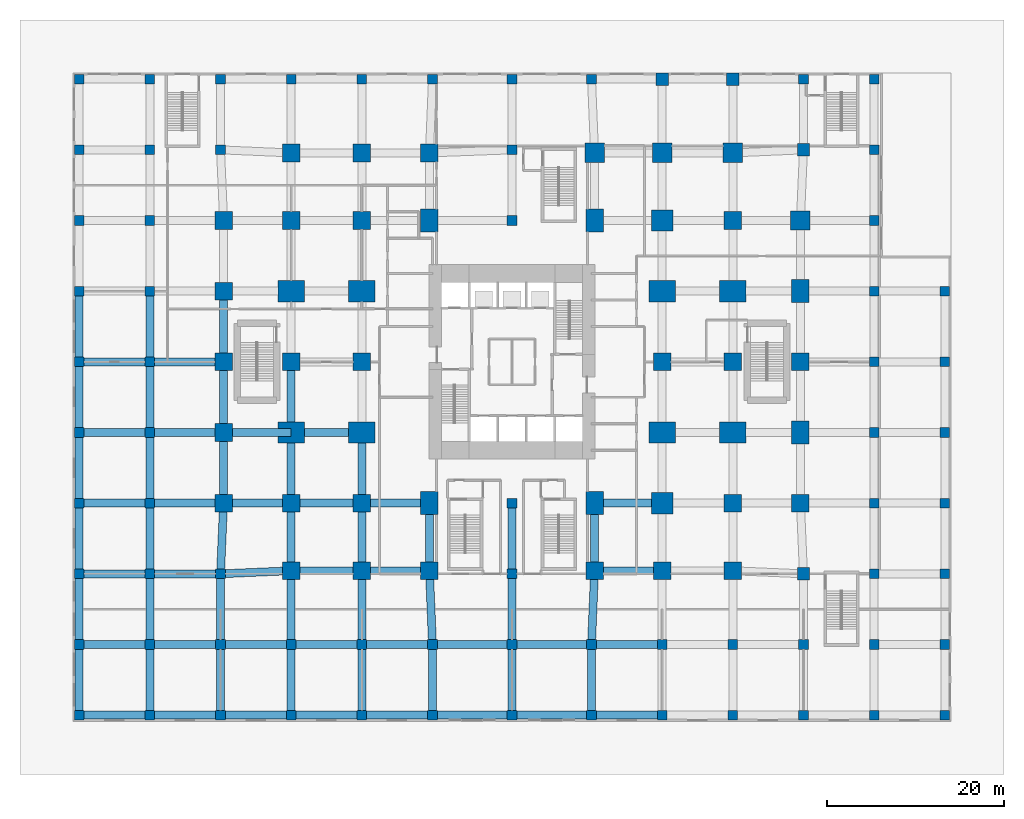
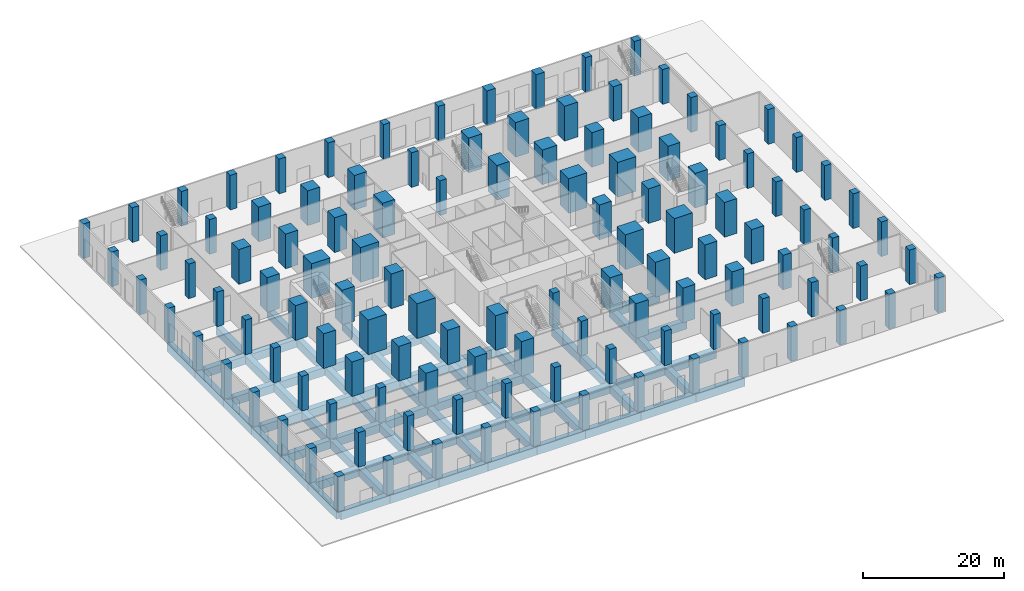
# One storey, part 1 of 16: 118 columns, 70 beams.
"""IFC4 building model written with IfcOpenShell, lengths in metres."""

from ifc_helpers import new_model, si_unit, direction, frame, origin, origin_2d, place, context, subcontext, project, spatial, rectangle, extrude, material, material_profile, profile_set, type_object, element, save


model = new_model("IFC4")

# Units and contexts
model_context = context("Model", 3, precision=1e-05, world=origin(), true_north=direction((0.0, 1.0)))
body_context = subcontext(model_context, "Body", "Model", "MODEL_VIEW")
ifc_project = project(units=[si_unit("LENGTHUNIT", "METRE"), si_unit("AREAUNIT", "SQUARE_METRE"), si_unit("VOLUMEUNIT", "CUBIC_METRE"), si_unit("PLANEANGLEUNIT", "RADIAN"), si_unit("MASSUNIT", "GRAM", prefix="KILO")], contexts=[model_context])

# Site, building, storey
site_placement = place(None, origin())
site = spatial("IfcSite", under=ifc_project, at=site_placement, CompositionType="ELEMENT")
building_placement = place(site_placement, origin())
building = spatial("IfcBuilding", under=site, at=building_placement, Name="Cleftline Residences", CompositionType="ELEMENT")
storey_placement = place(building_placement, origin())
storey = spatial("IfcBuildingStorey", under=building, at=storey_placement, Name="L00", CompositionType="ELEMENT", Elevation=0.0)

# Columns
ifc_material_1 = material(Name="Concrete B70", Category="concrete")
ifc_material_profile_1 = material_profile(ifc_material_1, rectangle(XDim=1.10009765625, YDim=1.10009765625, at=origin_2d()))
ifc_profile_set_1 = profile_set([ifc_material_profile_1], Name="Concrete B70")
column_type_1 = type_object("IfcColumnType", Name="COLUMN RC1100X1100", PredefinedType="COLUMN", material=ifc_profile_set_1)
for number, where, z_axis, x_axis, name in (
    (1, (-16.0, -16.0, 0.0), (0.0, 0.0, 1.0), (1.0, 0.0, 0.0), "Column A/1"),
    (2, (-16.0, -8.0, 0.0), (0.0, 0.0, 1.0), (1.0, 0.0, 0.0), "Column B/1"),
    (3, (-16.0, 0.0, 0.0), (0.0, 0.0, 1.0), (1.0, 0.0, 0.0), "Column C/1"),
    (4, (-16.0, 8.0, 0.0), (0.0, 0.0, 1.0), (1.0, 0.0, 0.0), "Column D/1"),
    (5, (-16.0, 16.0, 0.0), (0.0, 0.0, 1.0), (1.0, 0.0, 0.0), "Column E/1"),
    (6, (-16.0, 24.0, 0.0), (0.0, 0.0, 1.0), (1.0, 0.0, 0.0), "Column F/1"),
    (7, (-16.0, 32.0, 0.0), (0.0, 0.0, 1.0), (1.0, 0.0, 0.0), "Column G/1"),
    (8, (-16.0, 40.0, 0.0), (0.0, 0.0, 1.0), (1.0, 0.0, 0.0), "Column H/1"),
    (9, (-16.0, 48.0, 0.0), (0.0, 0.0, 1.0), (1.0, 0.0, 0.0), "Column J/1"),
    (10, (-16.0, 56.0, 0.0), (0.0, 0.0, 1.0), (1.0, 0.0, 0.0), "Column K/1"),
    (11, (-8.0, -16.0, 0.0), (0.0, 0.0, 1.0), (1.0, 0.0, 0.0), "Column A/2"),
    (12, (-8.0, -8.0, 0.0), (0.0, 0.0, 1.0), (1.0, 0.0, 0.0), "Column B/2"),
    (13, (-8.0, 0.0, 0.0), (0.0, 0.0, 1.0), (1.0, 0.0, 0.0), "Column C/2"),
    (14, (-8.0, 8.0, 0.0), (0.0, 0.0, 1.0), (1.0, 0.0, 0.0), "Column D/2"),
    (15, (-8.0, 16.0, 0.0), (0.0, 0.0, 1.0), (1.0, 0.0, 0.0), "Column E/2"),
    (16, (-8.0, 24.0, 0.0), (0.0, 0.0, 1.0), (1.0, 0.0, 0.0), "Column F/2"),
    (17, (-8.0, 32.0, 0.0), (0.0, 0.0, 1.0), (1.0, 0.0, 0.0), "Column G/2"),
    (18, (-8.0, 40.0, 0.0), (0.0, 0.0, 1.0), (1.0, 0.0, 0.0), "Column H/2"),
    (19, (-8.0, 48.0, 0.0), (0.0, 0.0, 1.0), (1.0, 0.0, 0.0), "Column J/2"),
    (20, (-8.0, 56.0, 0.0), (0.0, 0.0, 1.0), (1.0, 0.0, 0.0), "Column K/2"),
    (21, (0.0, -16.0, 0.0), (0.0, 0.0, 1.0), (1.0, 0.0, 0.0), "Column A/3"),
    (22, (0.0, -8.0, 0.0), (0.0, 0.0, 1.0), (1.0, 0.0, 0.0), "Column B/3"),
    (23, (0.0, 0.0, 0.0), (0.0, 0.0, 1.0), (1.0, 0.0, 0.0), "Column C/3"),
    (24, (0.0, 48.0, 0.0), (0.0, 0.0, 1.0), (1.0, 0.0, 0.0), "Column J/3"),
    (25, (0.0, 56.0, 0.0), (0.0, 0.0, 1.0), (1.0, 0.0, 0.0), "Column K/3"),
    (26, (8.0, -16.0, 0.0), (0.0, 0.0, 1.0), (1.0, 0.0, 0.0), "Column A/4"),
    (27, (8.0, -8.0, 0.0), (0.0, 0.0, 1.0), (1.0, 0.0, 0.0), "Column B/4"),
    (28, (8.0, 56.0, 0.0), (0.0, 0.0, 1.0), (1.0, 0.0, 0.0), "Column K/4"),
    (29, (16.0, -16.0, 0.0), (0.0, 0.0, 1.0), (1.0, 0.0, 0.0), "Column A/5"),
    (30, (16.0, -8.0, 0.0), (0.0, 0.0, 1.0), (1.0, 0.0, 0.0), "Column B/5"),
    (31, (16.0, 56.0, 0.0), (0.0, 0.0, 1.0), (1.0, 0.0, 0.0), "Column K/5"),
    (32, (24.0, -16.0, 0.0), (0.0, 0.0, 1.0), (1.0, 0.0, 0.0), "Column A/6"),
    (33, (24.0, -8.0, 0.0), (0.0, 0.0, 1.0), (1.0, 0.0, 0.0), "Column B/6"),
    (34, (24.0, 56.0, 0.0), (0.0, 0.0, 1.0), (1.0, 0.0, 0.0), "Column K/6"),
    (35, (33.0, -16.0, 0.0), (0.0, 0.0, 1.0), (1.0, 0.0, 0.0), "Column A/7"),
    (36, (33.0, -8.0, 0.0), (0.0, 0.0, 1.0), (1.0, 0.0, 0.0), "Column B/7"),
    (37, (33.0, 0.0, 0.0), (0.0, 0.0, 1.0), (1.0, 0.0, 0.0), "Column C/7"),
    (38, (33.0, 8.0, 0.0), (0.0, 0.0, 1.0), (1.0, 0.0, 0.0), "Column D/7"),
    (39, (33.0, 40.0, 0.0), (0.0, 0.0, 1.0), (1.0, 0.0, 0.0), "Column H/7"),
    (40, (33.0, 48.0, 0.0), (0.0, 0.0, 1.0), (1.0, 0.0, 0.0), "Column J/7"),
    (41, (33.0, 56.0, 0.0), (0.0, 0.0, 1.0), (1.0, 0.0, 0.0), "Column K/7"),
    (42, (42.0, -16.0, 0.0), (0.0, 0.0, 1.0), (1.0, 0.0, 0.0), "Column A/8"),
    (43, (42.0, -8.0, 0.0), (0.0, 0.0, 1.0), (1.0, 0.0, 0.0), "Column B/8"),
    (44, (42.0, 56.0, 0.0), (0.0, 0.0, 1.0), (1.0, 0.0, 0.0), "Column K/8"),
    (45, (50.0, -16.0, 0.0), (0.0, 0.0, 1.0), (1.0, 0.0, 0.0), "Column A/9"),
    (46, (50.0, -8.0, 0.0), (0.0, 0.0, 1.0), (1.0, 0.0, 0.0), "Column B/9"),
    (47, (58.0, -16.0, 0.0), (0.0, 0.0, 1.0), (1.0, 0.0, 0.0), "Column A/10"),
    (48, (58.0, -8.0, 0.0), (0.0, 0.0, 1.0), (1.0, 0.0, 0.0), "Column B/10"),
    (49, (66.0, -16.0, 0.0), (0.0, 0.0, 1.0), (1.0, 0.0, 0.0), "Column A/11"),
    (50, (66.0, -8.0, 0.0), (0.0, 0.0, 1.0), (1.0, 0.0, 0.0), "Column B/11"),
    (51, (66.0, 56.0, 0.0), (0.0, 0.0, 1.0), (1.0, 0.0, 0.0), "Column K/11"),
    (52, (74.0, -16.0, 0.0), (0.0, 0.0, 1.0), (1.0, 0.0, 0.0), "Column A/12"),
    (53, (74.0, -8.0, 0.0), (0.0, 0.0, 1.0), (1.0, 0.0, 0.0), "Column B/12"),
    (54, (74.0, 0.0, 0.0), (0.0, 0.0, 1.0), (1.0, 0.0, 0.0), "Column C/12"),
    (55, (74.0, 8.0, 0.0), (0.0, 0.0, 1.0), (1.0, 0.0, 0.0), "Column D/12"),
    (56, (74.0, 16.0, 0.0), (0.0, 0.0, 1.0), (1.0, 0.0, 0.0), "Column E/12"),
    (57, (74.0, 24.0, 0.0), (0.0, 0.0, 1.0), (1.0, 0.0, 0.0), "Column F/12"),
    (58, (74.0, 32.0, 0.0), (0.0, 0.0, 1.0), (1.0, 0.0, 0.0), "Column G/12"),
    (59, (74.0, 40.0, 0.0), (0.0, 0.0, 1.0), (1.0, 0.0, 0.0), "Column H/12"),
    (60, (74.0, 48.0, 0.0), (0.0, 0.0, 1.0), (1.0, 0.0, 0.0), "Column J/12"),
    (61, (74.0, 56.0, 0.0), (0.0, 0.0, 1.0), (1.0, 0.0, 0.0), "Column K/12"),
    (62, (82.0, -16.0, 0.0), (0.0, 0.0, 1.0), (1.0, 0.0, 0.0), "Column A/13"),
    (63, (82.0, -8.0, 0.0), (0.0, 0.0, 1.0), (1.0, 0.0, 0.0), "Column B/13"),
    (64, (82.0, 0.0, 0.0), (0.0, 0.0, 1.0), (1.0, 0.0, 0.0), "Column C/13"),
    (65, (82.0, 8.0, 0.0), (0.0, 0.0, 1.0), (1.0, 0.0, 0.0), "Column D/13"),
    (66, (82.0, 16.0, 0.0), (0.0, 0.0, 1.0), (1.0, 0.0, 0.0), "Column E/13"),
    (67, (82.0, 24.0, 0.0), (0.0, 0.0, 1.0), (1.0, 0.0, 0.0), "Column F/13"),
    (68, (82.0, 32.0, 0.0), (0.0, 0.0, 1.0), (1.0, 0.0, 0.0), "Column G/13"),
):
    element("IfcColumn", number, at=place(storey_placement, frame(where, z_axis=z_axis, x_axis=x_axis)), inside=storey, type_object=column_type_1, Name=name, PredefinedType="COLUMN", context=body_context, shape_type="SweptSolid", body=[
        extrude(rectangle(XDim=1.10009765625, YDim=1.10009765625, at=origin_2d()), origin(), (0.0, 0.0, 1.0), 6.0),
    ])
ifc_material_2 = material(Name="Concrete B70", Category="concrete")
ifc_material_profile_2 = material_profile(ifc_material_2, rectangle(XDim=1.39990234375, YDim=1.39990234375, at=origin_2d()))
ifc_profile_set_2 = profile_set([ifc_material_profile_2], Name="Concrete B70")
column_type_2 = type_object("IfcColumnType", Name="COLUMN RC1400X1400", PredefinedType="COLUMN", material=ifc_profile_set_2)
for number, where, z_axis, x_axis, name in (
    (69, (50.0, 56.0, 0.0), (0.0, 0.0, 1.0), (1.0, 0.0, 0.0), "Column K/9"),
    (70, (58.0, 56.0, 0.0), (0.0, 0.0, 1.0), (1.0, 0.0, 0.0), "Column K/10"),
    (71, (66.0, 0.0, 0.0), (0.0, 0.0, 1.0), (1.0, 0.0, 0.0), "Column C/11"),
    (72, (66.0, 48.0, 0.0), (0.0, 0.0, 1.0), (1.0, 0.0, 0.0), "Column J/11"),
):
    element("IfcColumn", number, at=place(storey_placement, frame(where, z_axis=z_axis, x_axis=x_axis)), inside=storey, type_object=column_type_2, Name=name, PredefinedType="COLUMN", context=body_context, shape_type="SweptSolid", body=[
        extrude(rectangle(XDim=1.39990234375, YDim=1.39990234375, at=origin_2d()), origin(), (0.0, 0.0, 1.0), 6.0),
    ])
ifc_material_3 = material(Name="Concrete B70", Category="concrete")
ifc_material_profile_3 = material_profile(ifc_material_3, rectangle(XDim=2.0, YDim=2.0, at=origin_2d()))
ifc_profile_set_3 = profile_set([ifc_material_profile_3], Name="Concrete B70")
column_type_3 = type_object("IfcColumnType", Name="COLUMN RC2000X2000", PredefinedType="COLUMN", material=ifc_profile_set_3)
for number, where, z_axis, x_axis, name in (
    (73, (0.35009765625, 8.0, 0.0), (0.0, 0.0, 1.0), (1.0, 0.0, 0.0), "Column D/3"),
    (74, (0.35009765625, 16.0, 0.0), (0.0, 0.0, 1.0), (1.0, 0.0, 0.0), "Column E/3"),
    (75, (0.35009765625, 24.0, 0.0), (0.0, 0.0, 1.0), (1.0, 0.0, 0.0), "Column F/3"),
    (76, (0.35009765625, 32.0, 0.0), (0.0, 0.0, 1.0), (1.0, 0.0, 0.0), "Column G/3"),
    (77, (0.35009765625, 40.0, 0.0), (0.0, 0.0, 1.0), (1.0, 0.0, 0.0), "Column H/3"),
    (78, (8.0, 0.35009765625, 0.0), (0.0, 0.0, 1.0), (1.0, 0.0, 0.0), "Column C/4"),
    (79, (8.0, 8.0, 0.0), (0.0, 0.0, 1.0), (1.0, 0.0, 0.0), "Column D/4"),
    (80, (8.0, 24.0, 0.0), (0.0, 0.0, 1.0), (1.0, 0.0, 0.0), "Column F/4"),
    (81, (8.0, 40.0, 0.0), (0.0, 0.0, 1.0), (1.0, 0.0, 0.0), "Column H/4"),
    (82, (8.0, 47.64990234375, 0.0), (0.0, 0.0, 1.0), (1.0, 0.0, 0.0), "Column J/4"),
    (83, (16.0, 0.35009765625, 0.0), (0.0, 0.0, 1.0), (1.0, 0.0, 0.0), "Column C/5"),
    (84, (16.0, 8.0, 0.0), (0.0, 0.0, 1.0), (1.0, 0.0, 0.0), "Column D/5"),
    (85, (16.0, 24.0, 0.0), (0.0, 0.0, 1.0), (1.0, 0.0, 0.0), "Column F/5"),
    (86, (16.0, 40.0, 0.0), (0.0, 0.0, 1.0), (1.0, 0.0, 0.0), "Column H/5"),
    (87, (16.0, 47.64990234375, 0.0), (0.0, 0.0, 1.0), (1.0, 0.0, 0.0), "Column J/5"),
    (88, (23.64990234375, 0.35009765625, 0.0), (0.0, 0.0, 1.0), (1.0, 0.0, 0.0), "Column C/6"),
    (89, (23.64990234375, 47.64990234375, 0.0), (0.0, 0.0, 1.0), (1.0, 0.0, 0.0), "Column J/6"),
    (90, (42.35009765625, 0.35009765625, 0.0), (0.0, 0.0, 1.0), (1.0, 0.0, 0.0), "Column C/8"),
    (91, (50.0, 0.35009765625, 0.0), (0.0, 0.0, 1.0), (1.0, 0.0, 0.0), "Column C/9"),
    (92, (50.0, 24.0, 0.0), (0.0, 0.0, 1.0), (1.0, 0.0, 0.0), "Column F/9"),
    (93, (58.0, 0.35009765625, 0.0), (0.0, 0.0, 1.0), (1.0, 0.0, 0.0), "Column C/10"),
    (94, (58.0, 8.0, 0.0), (0.0, 0.0, 1.0), (1.0, 0.0, 0.0), "Column D/10"),
    (95, (58.0, 24.0, 0.0), (0.0, 0.0, 1.0), (1.0, 0.0, 0.0), "Column F/10"),
    (96, (58.0, 40.0, 0.0), (0.0, 0.0, 1.0), (1.0, 0.0, 0.0), "Column H/10"),
    (97, (65.64990234375, 8.0, 0.0), (0.0, 0.0, 1.0), (1.0, 0.0, 0.0), "Column D/11"),
    (98, (65.64990234375, 24.0, 0.0), (0.0, 0.0, 1.0), (1.0, 0.0, 0.0), "Column F/11"),
):
    element("IfcColumn", number, at=place(storey_placement, frame(where, z_axis=z_axis, x_axis=x_axis)), inside=storey, type_object=column_type_3, Name=name, PredefinedType="COLUMN", context=body_context, shape_type="SweptSolid", body=[
        extrude(rectangle(XDim=2.0, YDim=2.0, at=origin_2d()), origin(), (0.0, 0.0, 1.0), 6.0),
    ])
ifc_material_4 = material(Name="Concrete B70", Category="concrete")
ifc_material_profile_4 = material_profile(ifc_material_4, rectangle(XDim=2.0, YDim=2.60009765625, at=origin_2d()))
ifc_profile_set_4 = profile_set([ifc_material_profile_4], Name="Concrete B70")
column_type_4 = type_object("IfcColumnType", Name="COLUMN RC2000X2600", PredefinedType="COLUMN", material=ifc_profile_set_4)
for number, where, z_axis, x_axis, name in (
    (99, (23.64990234375, 8.0, 0.0), (0.0, 0.0, 1.0), (1.0, 0.0, 0.0), "Column D/6"),
    (100, (23.64990234375, 40.0, 0.0), (0.0, 0.0, 1.0), (1.0, 0.0, 0.0), "Column H/6"),
    (101, (42.35009765625, 8.0, 0.0), (0.0, 0.0, 1.0), (1.0, 0.0, 0.0), "Column D/8"),
    (102, (42.35009765625, 40.0, 0.0), (0.0, 0.0, 1.0), (1.0, 0.0, 0.0), "Column H/8"),
):
    element("IfcColumn", number, at=place(storey_placement, frame(where, z_axis=z_axis, x_axis=x_axis)), inside=storey, type_object=column_type_4, Name=name, PredefinedType="COLUMN", context=body_context, shape_type="SweptSolid", body=[
        extrude(rectangle(XDim=2.0, YDim=2.60009765625, at=origin_2d()), origin(), (0.0, 0.0, 1.0), 6.0),
    ])
ifc_material_5 = material(Name="Concrete B70", Category="concrete")
ifc_material_profile_5 = material_profile(ifc_material_5, rectangle(XDim=2.199951171875, YDim=2.199951171875, at=origin_2d()))
ifc_profile_set_5 = profile_set([ifc_material_profile_5], Name="Concrete B70")
column_type_5 = type_object("IfcColumnType", Name="COLUMN RC2200X2200", PredefinedType="COLUMN", material=ifc_profile_set_5)
for number, where, z_axis, x_axis, name in (
    (103, (42.35009765625, 47.64990234375, 0.0), (0.0, 0.0, 1.0), (1.0, 0.0, 0.0), "Column J/8"),
    (104, (50.0, 47.64990234375, 0.0), (0.0, 0.0, 1.0), (1.0, 0.0, 0.0), "Column J/9"),
    (105, (58.0, 47.64990234375, 0.0), (0.0, 0.0, 1.0), (1.0, 0.0, 0.0), "Column J/10"),
    (106, (65.64990234375, 40.0, 0.0), (0.0, 0.0, 1.0), (1.0, 0.0, 0.0), "Column H/11"),
):
    element("IfcColumn", number, at=place(storey_placement, frame(where, z_axis=z_axis, x_axis=x_axis)), inside=storey, type_object=column_type_5, Name=name, PredefinedType="COLUMN", context=body_context, shape_type="SweptSolid", body=[
        extrude(rectangle(XDim=2.199951171875, YDim=2.199951171875, at=origin_2d()), origin(), (0.0, 0.0, 1.0), 6.0),
    ])
ifc_material_6 = material(Name="Concrete B70", Category="concrete")
ifc_material_profile_6 = material_profile(ifc_material_6, rectangle(XDim=2.39990234375, YDim=2.39990234375, at=origin_2d()))
ifc_profile_set_6 = profile_set([ifc_material_profile_6], Name="Concrete B70")
column_type_6 = type_object("IfcColumnType", Name="COLUMN RC2400X2400", PredefinedType="COLUMN", material=ifc_profile_set_6)
for number, where, z_axis, x_axis, name in (
    (107, (50.0, 8.0, 0.0), (0.0, 0.0, 1.0), (1.0, 0.0, 0.0), "Column D/9"),
    (108, (50.0, 40.0, 0.0), (0.0, 0.0, 1.0), (1.0, 0.0, 0.0), "Column H/9"),
):
    element("IfcColumn", number, at=place(storey_placement, frame(where, z_axis=z_axis, x_axis=x_axis)), inside=storey, type_object=column_type_6, Name=name, PredefinedType="COLUMN", context=body_context, shape_type="SweptSolid", body=[
        extrude(rectangle(XDim=2.39990234375, YDim=2.39990234375, at=origin_2d()), origin(), (0.0, 0.0, 1.0), 6.0),
    ])
ifc_material_7 = material(Name="Concrete B70", Category="concrete")
ifc_material_profile_7 = material_profile(ifc_material_7, rectangle(XDim=2.60009765625, YDim=2.0, at=origin_2d()))
ifc_profile_set_7 = profile_set([ifc_material_profile_7], Name="Concrete B70")
column_type_7 = type_object("IfcColumnType", Name="COLUMN RC2600X2000", PredefinedType="COLUMN", material=ifc_profile_set_7)
for number, where, z_axis, x_axis, name in (
    (109, (65.64990234375, 16.0, 0.0), (0.0, 0.0, 1.0), (0.0, 1.0, 0.0), "Column E/11"),
    (110, (65.64990234375, 32.0, 0.0), (0.0, 0.0, 1.0), (0.0, 1.0, 0.0), "Column G/11"),
):
    element("IfcColumn", number, at=place(storey_placement, frame(where, z_axis=z_axis, x_axis=x_axis)), inside=storey, type_object=column_type_7, Name=name, PredefinedType="COLUMN", context=body_context, shape_type="SweptSolid", body=[
        extrude(rectangle(XDim=2.60009765625, YDim=2.0, at=origin_2d()), origin(), (0.0, 0.0, 1.0), 6.0),
    ])
ifc_material_8 = material(Name="Concrete B70", Category="concrete")
ifc_material_profile_8 = material_profile(ifc_material_8, rectangle(XDim=3.0, YDim=2.39990234375, at=origin_2d()))
ifc_profile_set_8 = profile_set([ifc_material_profile_8], Name="Concrete B70")
column_type_8 = type_object("IfcColumnType", Name="COLUMN RC3000X2400", PredefinedType="COLUMN", material=ifc_profile_set_8)
for number, where, z_axis, x_axis, name in (
    (111, (8.0, 16.0, 0.0), (0.0, 0.0, 1.0), (1.0, 0.0, 0.0), "Column E/4"),
    (112, (8.0, 32.0, 0.0), (0.0, 0.0, 1.0), (1.0, 0.0, 0.0), "Column G/4"),
    (113, (16.0, 16.0, 0.0), (0.0, 0.0, 1.0), (1.0, 0.0, 0.0), "Column E/5"),
    (114, (16.0, 32.0, 0.0), (0.0, 0.0, 1.0), (1.0, 0.0, 0.0), "Column G/5"),
    (115, (50.0, 16.0, 0.0), (0.0, 0.0, 1.0), (1.0, 0.0, 0.0), "Column E/9"),
    (116, (50.0, 32.0, 0.0), (0.0, 0.0, 1.0), (1.0, 0.0, 0.0), "Column G/9"),
    (117, (58.0, 16.0, 0.0), (0.0, 0.0, 1.0), (1.0, 0.0, 0.0), "Column E/10"),
    (118, (58.0, 32.0, 0.0), (0.0, 0.0, 1.0), (1.0, 0.0, 0.0), "Column G/10"),
):
    element("IfcColumn", number, at=place(storey_placement, frame(where, z_axis=z_axis, x_axis=x_axis)), inside=storey, type_object=column_type_8, Name=name, PredefinedType="COLUMN", context=body_context, shape_type="SweptSolid", body=[
        extrude(rectangle(XDim=3.0, YDim=2.39990234375, at=origin_2d()), origin(), (0.0, 0.0, 1.0), 6.0),
    ])

# Beams
ifc_material_9 = material(Name="Concrete B45", Category="concrete")
ifc_material_profile_9 = material_profile(ifc_material_9, rectangle(XDim=0.89990234375, YDim=1.39990234375, at=origin_2d()))
ifc_profile_set_9 = profile_set([ifc_material_profile_9], Name="Concrete B45")
beam_type = type_object("IfcBeamType", Name="BEAM RC900X1400", PredefinedType="BEAM", material=ifc_profile_set_9)
for number, where, z_axis, x_axis, name in (
    (119, (-16.0, -16.0, -1.0), (1.0, 0.0, 0.0), (0.0, 1.0, 0.0), "Podium beam"),
    (120, (-8.0, -16.0, -1.0), (1.0, 0.0, 0.0), (0.0, 1.0, 0.0), "Podium beam"),
    (121, (0.0, -16.0, -1.0), (1.0, 0.0, 0.0), (0.0, 1.0, 0.0), "Podium beam"),
    (122, (8.0, -16.0, -1.0), (1.0, 0.0, 0.0), (0.0, 1.0, 0.0), "Podium beam"),
    (123, (16.0, -16.0, -1.0), (1.0, 0.0, 0.0), (0.0, 1.0, 0.0), "Podium beam"),
):
    element("IfcBeam", number, at=place(storey_placement, frame(where, z_axis=z_axis, x_axis=x_axis)), inside=storey, type_object=beam_type, Name=name, PredefinedType="BEAM", context=body_context, shape_type="SweptSolid", body=[
        extrude(rectangle(XDim=0.89990234375, YDim=1.39990234375, at=origin_2d()), origin(), (0.0, 0.0, 1.0), 8.0),
    ])
for number, where, z_axis, x_axis, name in (
    (124, (24.0, -16.0, -1.0), (1.0, 0.0, 0.0), (0.0, 1.0, 0.0), "Podium beam"),
    (125, (33.0, -16.0, -1.0), (1.0, 0.0, 0.0), (0.0, 1.0, 0.0), "Podium beam"),
):
    element("IfcBeam", number, at=place(storey_placement, frame(where, z_axis=z_axis, x_axis=x_axis)), inside=storey, type_object=beam_type, Name=name, PredefinedType="BEAM", context=body_context, shape_type="SweptSolid", body=[
        extrude(rectangle(XDim=0.89990234375, YDim=1.39990234375, at=origin_2d()), origin(), (0.0, 0.0, 1.0), 9.0),
    ])
for number, where, z_axis, x_axis, name in (
    (126, (42.0, -16.0, -1.0), (1.0, 0.0, 0.0), (0.0, 1.0, 0.0), "Podium beam"),
    (127, (-16.0, -8.0, -1.0), (1.0, 0.0, 0.0), (0.0, 1.0, 0.0), "Podium beam"),
    (128, (-8.0, -8.0, -1.0), (1.0, 0.0, 0.0), (0.0, 1.0, 0.0), "Podium beam"),
    (129, (0.0, -8.0, -1.0), (1.0, 0.0, 0.0), (0.0, 1.0, 0.0), "Podium beam"),
    (130, (8.0, -8.0, -1.0), (1.0, 0.0, 0.0), (0.0, 1.0, 0.0), "Podium beam"),
    (131, (16.0, -8.0, -1.0), (1.0, 0.0, 0.0), (0.0, 1.0, 0.0), "Podium beam"),
):
    element("IfcBeam", number, at=place(storey_placement, frame(where, z_axis=z_axis, x_axis=x_axis)), inside=storey, type_object=beam_type, Name=name, PredefinedType="BEAM", context=body_context, shape_type="SweptSolid", body=[
        extrude(rectangle(XDim=0.89990234375, YDim=1.39990234375, at=origin_2d()), origin(), (0.0, 0.0, 1.0), 8.0),
    ])
for number, where, z_axis, x_axis, name in (
    (132, (24.0, -8.0, -1.0), (1.0, 0.0, 0.0), (0.0, 1.0, 0.0), "Podium beam"),
    (133, (33.0, -8.0, -1.0), (1.0, 0.0, 0.0), (0.0, 1.0, 0.0), "Podium beam"),
):
    element("IfcBeam", number, at=place(storey_placement, frame(where, z_axis=z_axis, x_axis=x_axis)), inside=storey, type_object=beam_type, Name=name, PredefinedType="BEAM", context=body_context, shape_type="SweptSolid", body=[
        extrude(rectangle(XDim=0.89990234375, YDim=1.39990234375, at=origin_2d()), origin(), (0.0, 0.0, 1.0), 9.0),
    ])
for number, where, z_axis, x_axis, name in (
    (134, (42.0, -8.0, -1.0), (1.0, 0.0, 0.0), (0.0, 1.0, 0.0), "Podium beam"),
    (135, (-16.0, 0.0, -1.0), (1.0, 0.0, 0.0), (0.0, 1.0, 0.0), "Podium beam"),
    (136, (-8.0, 0.0, -1.0), (1.0, 0.0, 0.0), (0.0, 1.0, 0.0), "Podium beam"),
):
    element("IfcBeam", number, at=place(storey_placement, frame(where, z_axis=z_axis, x_axis=x_axis)), inside=storey, type_object=beam_type, Name=name, PredefinedType="BEAM", context=body_context, shape_type="SweptSolid", body=[
        extrude(rectangle(XDim=0.89990234375, YDim=1.39990234375, at=origin_2d()), origin(), (0.0, 0.0, 1.0), 8.0),
    ])
beam_1_placement = place(storey_placement, frame((0.0, 0.0, -1.0), z_axis=(0.999043807824, 0.043720361951, 0.0), x_axis=(-0.043720361951, 0.999043807824, 0.0)))
element("IfcBeam", 137, at=beam_1_placement, inside=storey, type_object=beam_type, Name="Podium beam", PredefinedType="BEAM", context=body_context, shape_type="SweptSolid", body=[
    extrude(rectangle(XDim=0.89990234375, YDim=1.39990234375, at=origin_2d()), origin(), (0.0, 0.0, 1.0), 8.007568359375),
])
beam_2_placement = place(storey_placement, frame((8.0, 0.35009765625, -1.0), z_axis=(1.0, 0.0, 0.0), x_axis=(0.0, 1.0, 0.0)))
element("IfcBeam", 138, at=beam_2_placement, inside=storey, type_object=beam_type, Name="Podium beam", PredefinedType="BEAM", context=body_context, shape_type="SweptSolid", body=[
    extrude(rectangle(XDim=0.89990234375, YDim=1.39990234375, at=origin_2d()), origin(), (0.0, 0.0, 1.0), 8.0),
])
for number, where, z_axis, x_axis, name in (
    (139, (16.0, 0.35009765625, -1.0), (1.0, 0.0, 0.0), (0.0, 1.0, 0.0), "Podium beam"),
    (140, (42.35009765625, 0.35009765625, -1.0), (1.0, 0.0, 0.0), (0.0, 1.0, 0.0), "Podium beam"),
):
    element("IfcBeam", number, at=place(storey_placement, frame(where, z_axis=z_axis, x_axis=x_axis)), inside=storey, type_object=beam_type, Name=name, PredefinedType="BEAM", context=body_context, shape_type="SweptSolid", body=[
        extrude(rectangle(XDim=0.89990234375, YDim=1.39990234375, at=origin_2d()), origin(), (0.0, 0.0, 1.0), 7.64990234375),
    ])
beam_3_placement = place(storey_placement, frame((-16.0, 8.0, -1.0), z_axis=(1.0, 0.0, 0.0), x_axis=(0.0, 1.0, 0.0)))
element("IfcBeam", 141, at=beam_3_placement, inside=storey, type_object=beam_type, Name="Podium beam", PredefinedType="BEAM", context=body_context, shape_type="SweptSolid", body=[
    extrude(rectangle(XDim=0.89990234375, YDim=1.39990234375, at=origin_2d()), origin(), (0.0, 0.0, 1.0), 8.0),
])
beam_4_placement = place(storey_placement, frame((-8.0, 8.0, -1.0), z_axis=(1.0, 0.0, 0.0), x_axis=(0.0, 1.0, 0.0)))
element("IfcBeam", 142, at=beam_4_placement, inside=storey, type_object=beam_type, Name="Podium beam", PredefinedType="BEAM", context=body_context, shape_type="SweptSolid", body=[
    extrude(rectangle(XDim=0.89990234375, YDim=1.39990234375, at=origin_2d()), origin(), (0.0, 0.0, 1.0), 8.35009765625),
])
beam_5_placement = place(storey_placement, frame((0.35009765625, 8.0, -1.0), z_axis=(1.0, 0.0, 0.0), x_axis=(0.0, 1.0, 0.0)))
element("IfcBeam", 143, at=beam_5_placement, inside=storey, type_object=beam_type, Name="Podium beam", PredefinedType="BEAM", context=body_context, shape_type="SweptSolid", body=[
    extrude(rectangle(XDim=0.89990234375, YDim=1.39990234375, at=origin_2d()), origin(), (0.0, 0.0, 1.0), 7.64990234375),
])
beam_6_placement = place(storey_placement, frame((8.0, 8.0, -1.0), z_axis=(1.0, 0.0, 0.0), x_axis=(0.0, 1.0, 0.0)))
element("IfcBeam", 144, at=beam_6_placement, inside=storey, type_object=beam_type, Name="Podium beam", PredefinedType="BEAM", context=body_context, shape_type="SweptSolid", body=[
    extrude(rectangle(XDim=0.89990234375, YDim=1.39990234375, at=origin_2d()), origin(), (0.0, 0.0, 1.0), 8.0),
])
for number, where, z_axis, x_axis, name in (
    (145, (16.0, 8.0, -1.0), (1.0, 0.0, 0.0), (0.0, 1.0, 0.0), "Podium beam"),
    (146, (42.35009765625, 8.0, -1.0), (1.0, 0.0, 0.0), (0.0, 1.0, 0.0), "Podium beam"),
):
    element("IfcBeam", number, at=place(storey_placement, frame(where, z_axis=z_axis, x_axis=x_axis)), inside=storey, type_object=beam_type, Name=name, PredefinedType="BEAM", context=body_context, shape_type="SweptSolid", body=[
        extrude(rectangle(XDim=0.89990234375, YDim=1.39990234375, at=origin_2d()), origin(), (0.0, 0.0, 1.0), 7.64990234375),
    ])
beam_7_placement = place(storey_placement, frame((-16.0, 16.0, -1.0), z_axis=(1.0, 0.0, 0.0), x_axis=(0.0, 1.0, 0.0)))
element("IfcBeam", 147, at=beam_7_placement, inside=storey, type_object=beam_type, Name="Podium beam", PredefinedType="BEAM", context=body_context, shape_type="SweptSolid", body=[
    extrude(rectangle(XDim=0.89990234375, YDim=1.39990234375, at=origin_2d()), origin(), (0.0, 0.0, 1.0), 8.0),
])
beam_8_placement = place(storey_placement, frame((-8.0, 16.0, -1.0), z_axis=(1.0, 0.0, 0.0), x_axis=(0.0, 1.0, 0.0)))
element("IfcBeam", 148, at=beam_8_placement, inside=storey, type_object=beam_type, Name="Podium beam", PredefinedType="BEAM", context=body_context, shape_type="SweptSolid", body=[
    extrude(rectangle(XDim=0.89990234375, YDim=1.39990234375, at=origin_2d()), origin(), (0.0, 0.0, 1.0), 8.35009765625),
])
beam_9_placement = place(storey_placement, frame((0.35009765625, 16.0, -1.0), z_axis=(1.0, 0.0, 0.0), x_axis=(0.0, 1.0, 0.0)))
element("IfcBeam", 149, at=beam_9_placement, inside=storey, type_object=beam_type, Name="Podium beam", PredefinedType="BEAM", context=body_context, shape_type="SweptSolid", body=[
    extrude(rectangle(XDim=0.89990234375, YDim=1.39990234375, at=origin_2d()), origin(), (0.0, 0.0, 1.0), 7.64990234375),
])
for number, where, z_axis, x_axis, name in (
    (150, (8.0, 16.0, -1.0), (1.0, 0.0, 0.0), (0.0, 1.0, 0.0), "Podium beam"),
    (151, (-16.0, 24.0, -1.0), (1.0, 0.0, 0.0), (0.0, 1.0, 0.0), "Podium beam"),
):
    element("IfcBeam", number, at=place(storey_placement, frame(where, z_axis=z_axis, x_axis=x_axis)), inside=storey, type_object=beam_type, Name=name, PredefinedType="BEAM", context=body_context, shape_type="SweptSolid", body=[
        extrude(rectangle(XDim=0.89990234375, YDim=1.39990234375, at=origin_2d()), origin(), (0.0, 0.0, 1.0), 8.0),
    ])
beam_10_placement = place(storey_placement, frame((-8.0, 24.0, -1.0), z_axis=(1.0, 0.0, 0.0), x_axis=(0.0, 1.0, 0.0)))
element("IfcBeam", 152, at=beam_10_placement, inside=storey, type_object=beam_type, Name="Podium beam", PredefinedType="BEAM", context=body_context, shape_type="SweptSolid", body=[
    extrude(rectangle(XDim=0.89990234375, YDim=1.39990234375, at=origin_2d()), origin(), (0.0, 0.0, 1.0), 8.35009765625),
])
for number, where, z_axis, x_axis, name in (
    (153, (-16.0, -16.0, -1.0), (0.0, 1.0, 0.0), (-1.0, 0.0, 0.0), "Podium beam"),
    (154, (-16.0, -8.0, -1.0), (0.0, 1.0, 0.0), (-1.0, 0.0, 0.0), "Podium beam"),
    (155, (-16.0, 0.0, -1.0), (0.0, 1.0, 0.0), (-1.0, 0.0, 0.0), "Podium beam"),
    (156, (-16.0, 8.0, -1.0), (0.0, 1.0, 0.0), (-1.0, 0.0, 0.0), "Podium beam"),
    (157, (-16.0, 16.0, -1.0), (0.0, 1.0, 0.0), (-1.0, 0.0, 0.0), "Podium beam"),
    (158, (-16.0, 24.0, -1.0), (0.0, 1.0, 0.0), (-1.0, 0.0, 0.0), "Podium beam"),
    (159, (-8.0, -16.0, -1.0), (0.0, 1.0, 0.0), (-1.0, 0.0, 0.0), "Podium beam"),
    (160, (-8.0, -8.0, -1.0), (0.0, 1.0, 0.0), (-1.0, 0.0, 0.0), "Podium beam"),
    (161, (-8.0, 0.0, -1.0), (0.0, 1.0, 0.0), (-1.0, 0.0, 0.0), "Podium beam"),
    (162, (-8.0, 8.0, -1.0), (0.0, 1.0, 0.0), (-1.0, 0.0, 0.0), "Podium beam"),
    (163, (-8.0, 16.0, -1.0), (0.0, 1.0, 0.0), (-1.0, 0.0, 0.0), "Podium beam"),
    (164, (-8.0, 24.0, -1.0), (0.0, 1.0, 0.0), (-1.0, 0.0, 0.0), "Podium beam"),
    (165, (0.0, -16.0, -1.0), (0.0, 1.0, 0.0), (-1.0, 0.0, 0.0), "Podium beam"),
    (166, (0.0, -8.0, -1.0), (0.0, 1.0, 0.0), (-1.0, 0.0, 0.0), "Podium beam"),
):
    element("IfcBeam", number, at=place(storey_placement, frame(where, z_axis=z_axis, x_axis=x_axis)), inside=storey, type_object=beam_type, Name=name, PredefinedType="BEAM", context=body_context, shape_type="SweptSolid", body=[
        extrude(rectangle(XDim=0.89990234375, YDim=1.39990234375, at=origin_2d()), origin(), (0.0, 0.0, 1.0), 8.0),
    ])
beam_11_placement = place(storey_placement, frame((0.0, 0.0, -1.0), z_axis=(0.043720361951, 0.999043807824, 0.0), x_axis=(-0.999043807824, 0.043720361951, 0.0)))
element("IfcBeam", 167, at=beam_11_placement, inside=storey, type_object=beam_type, Name="Podium beam", PredefinedType="BEAM", context=body_context, shape_type="SweptSolid", body=[
    extrude(rectangle(XDim=0.89990234375, YDim=1.39990234375, at=origin_2d()), origin(), (0.0, 0.0, 1.0), 8.007568359375),
])
for number, where, z_axis, x_axis, name in (
    (168, (0.35009765625, 8.0, -1.0), (0.0, 1.0, 0.0), (-1.0, 0.0, 0.0), "Podium beam"),
    (169, (0.35009765625, 16.0, -1.0), (0.0, 1.0, 0.0), (-1.0, 0.0, 0.0), "Podium beam"),
    (170, (0.35009765625, 24.0, -1.0), (0.0, 1.0, 0.0), (-1.0, 0.0, 0.0), "Podium beam"),
    (171, (8.0, -16.0, -1.0), (0.0, 1.0, 0.0), (-1.0, 0.0, 0.0), "Podium beam"),
):
    element("IfcBeam", number, at=place(storey_placement, frame(where, z_axis=z_axis, x_axis=x_axis)), inside=storey, type_object=beam_type, Name=name, PredefinedType="BEAM", context=body_context, shape_type="SweptSolid", body=[
        extrude(rectangle(XDim=0.89990234375, YDim=1.39990234375, at=origin_2d()), origin(), (0.0, 0.0, 1.0), 8.0),
    ])
beam_12_placement = place(storey_placement, frame((8.0, -8.0, -1.0), z_axis=(0.0, 1.0, 0.0), x_axis=(-1.0, 0.0, 0.0)))
element("IfcBeam", 172, at=beam_12_placement, inside=storey, type_object=beam_type, Name="Podium beam", PredefinedType="BEAM", context=body_context, shape_type="SweptSolid", body=[
    extrude(rectangle(XDim=0.89990234375, YDim=1.39990234375, at=origin_2d()), origin(), (0.0, 0.0, 1.0), 8.35009765625),
])
beam_13_placement = place(storey_placement, frame((8.0, 0.35009765625, -1.0), z_axis=(0.0, 1.0, 0.0), x_axis=(-1.0, 0.0, 0.0)))
element("IfcBeam", 173, at=beam_13_placement, inside=storey, type_object=beam_type, Name="Podium beam", PredefinedType="BEAM", context=body_context, shape_type="SweptSolid", body=[
    extrude(rectangle(XDim=0.89990234375, YDim=1.39990234375, at=origin_2d()), origin(), (0.0, 0.0, 1.0), 7.64990234375),
])
for number, where, z_axis, x_axis, name in (
    (174, (8.0, 8.0, -1.0), (0.0, 1.0, 0.0), (-1.0, 0.0, 0.0), "Podium beam"),
    (175, (8.0, 16.0, -1.0), (0.0, 1.0, 0.0), (-1.0, 0.0, 0.0), "Podium beam"),
    (176, (16.0, -16.0, -1.0), (0.0, 1.0, 0.0), (-1.0, 0.0, 0.0), "Podium beam"),
):
    element("IfcBeam", number, at=place(storey_placement, frame(where, z_axis=z_axis, x_axis=x_axis)), inside=storey, type_object=beam_type, Name=name, PredefinedType="BEAM", context=body_context, shape_type="SweptSolid", body=[
        extrude(rectangle(XDim=0.89990234375, YDim=1.39990234375, at=origin_2d()), origin(), (0.0, 0.0, 1.0), 8.0),
    ])
beam_14_placement = place(storey_placement, frame((16.0, -8.0, -1.0), z_axis=(0.0, 1.0, 0.0), x_axis=(-1.0, 0.0, 0.0)))
element("IfcBeam", 177, at=beam_14_placement, inside=storey, type_object=beam_type, Name="Podium beam", PredefinedType="BEAM", context=body_context, shape_type="SweptSolid", body=[
    extrude(rectangle(XDim=0.89990234375, YDim=1.39990234375, at=origin_2d()), origin(), (0.0, 0.0, 1.0), 8.35009765625),
])
beam_15_placement = place(storey_placement, frame((16.0, 0.35009765625, -1.0), z_axis=(0.0, 1.0, 0.0), x_axis=(-1.0, 0.0, 0.0)))
element("IfcBeam", 178, at=beam_15_placement, inside=storey, type_object=beam_type, Name="Podium beam", PredefinedType="BEAM", context=body_context, shape_type="SweptSolid", body=[
    extrude(rectangle(XDim=0.89990234375, YDim=1.39990234375, at=origin_2d()), origin(), (0.0, 0.0, 1.0), 7.64990234375),
])
for number, where, z_axis, x_axis, name in (
    (179, (16.0, 8.0, -1.0), (0.0, 1.0, 0.0), (-1.0, 0.0, 0.0), "Podium beam"),
    (180, (24.0, -16.0, -1.0), (0.0, 1.0, 0.0), (-1.0, 0.0, 0.0), "Podium beam"),
):
    element("IfcBeam", number, at=place(storey_placement, frame(where, z_axis=z_axis, x_axis=x_axis)), inside=storey, type_object=beam_type, Name=name, PredefinedType="BEAM", context=body_context, shape_type="SweptSolid", body=[
        extrude(rectangle(XDim=0.89990234375, YDim=1.39990234375, at=origin_2d()), origin(), (0.0, 0.0, 1.0), 8.0),
    ])
beam_16_placement = place(storey_placement, frame((24.0, -8.0, -1.0), z_axis=(-0.041890569024, 0.999122204851, 0.0), x_axis=(-0.999122204851, -0.041890569024, 0.0)))
element("IfcBeam", 181, at=beam_16_placement, inside=storey, type_object=beam_type, Name="Podium beam", PredefinedType="BEAM", context=body_context, shape_type="SweptSolid", body=[
    extrude(rectangle(XDim=0.89990234375, YDim=1.39990234375, at=origin_2d()), origin(), (0.0, 0.0, 1.0), 8.357421875),
])
beam_17_placement = place(storey_placement, frame((23.64990234375, 0.35009765625, -1.0), z_axis=(0.0, 1.0, 0.0), x_axis=(-1.0, 0.0, 0.0)))
element("IfcBeam", 182, at=beam_17_placement, inside=storey, type_object=beam_type, Name="Podium beam", PredefinedType="BEAM", context=body_context, shape_type="SweptSolid", body=[
    extrude(rectangle(XDim=0.89990234375, YDim=1.39990234375, at=origin_2d()), origin(), (0.0, 0.0, 1.0), 7.64990234375),
])
for number, where, z_axis, x_axis, name in (
    (183, (33.0, -16.0, -1.0), (0.0, 1.0, 0.0), (-1.0, 0.0, 0.0), "Podium beam"),
    (184, (33.0, -8.0, -1.0), (0.0, 1.0, 0.0), (-1.0, 0.0, 0.0), "Podium beam"),
    (185, (33.0, 0.0, -1.0), (0.0, 1.0, 0.0), (-1.0, 0.0, 0.0), "Podium beam"),
    (186, (42.0, -16.0, -1.0), (0.0, 1.0, 0.0), (-1.0, 0.0, 0.0), "Podium beam"),
):
    element("IfcBeam", number, at=place(storey_placement, frame(where, z_axis=z_axis, x_axis=x_axis)), inside=storey, type_object=beam_type, Name=name, PredefinedType="BEAM", context=body_context, shape_type="SweptSolid", body=[
        extrude(rectangle(XDim=0.89990234375, YDim=1.39990234375, at=origin_2d()), origin(), (0.0, 0.0, 1.0), 8.0),
    ])
beam_18_placement = place(storey_placement, frame((42.0, -8.0, -1.0), z_axis=(0.041890569024, 0.999122204851, 0.0), x_axis=(-0.999122204851, 0.041890569024, 0.0)))
element("IfcBeam", 187, at=beam_18_placement, inside=storey, type_object=beam_type, Name="Podium beam", PredefinedType="BEAM", context=body_context, shape_type="SweptSolid", body=[
    extrude(rectangle(XDim=0.89990234375, YDim=1.39990234375, at=origin_2d()), origin(), (0.0, 0.0, 1.0), 8.357421875),
])
beam_19_placement = place(storey_placement, frame((42.35009765625, 0.35009765625, -1.0), z_axis=(0.0, 1.0, 0.0), x_axis=(-1.0, 0.0, 0.0)))
element("IfcBeam", 188, at=beam_19_placement, inside=storey, type_object=beam_type, Name="Podium beam", PredefinedType="BEAM", context=body_context, shape_type="SweptSolid", body=[
    extrude(rectangle(XDim=0.89990234375, YDim=1.39990234375, at=origin_2d()), origin(), (0.0, 0.0, 1.0), 7.64990234375),
])

save(model, "model.ifc")
